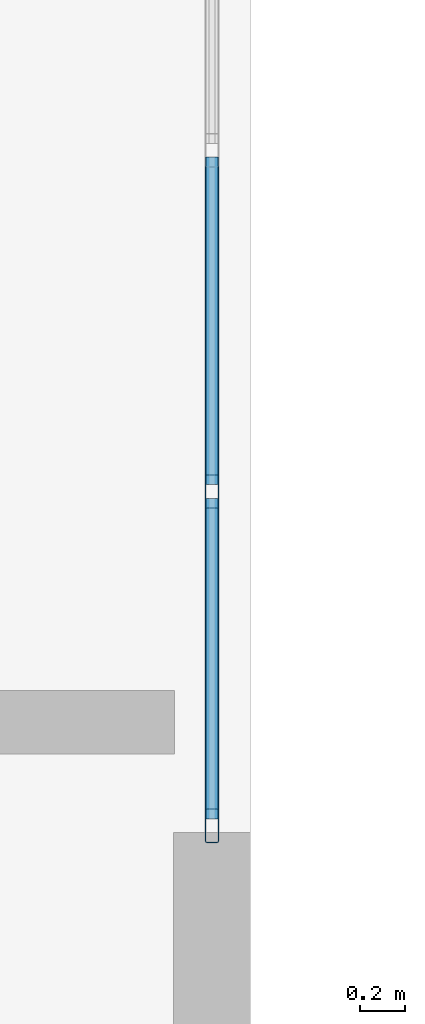
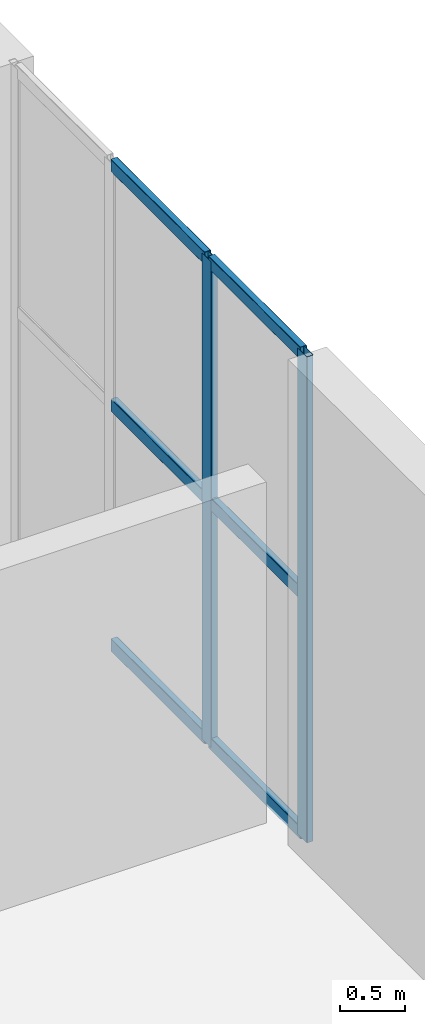
# One storey, part 3 of 16: 8 members, 1 element without a shape of its own.
"""IFC4 building model written with IfcOpenShell, lengths in metres."""

import ifcopenshell
import ifcopenshell.guid

model = None  # the IFC model being written
_history = None  # IfcOwnerHistory: only IFC2X3 demands one
_inside = {}  # id of a spatial element -> (the spatial element, [elements in it])
_under = {}  # id of a project, library or spatial element -> (it, [spatial elements below it])
_declared = {}  # id of a project -> (the project, [libraries it declares])
_typed = {}  # id of a type object -> (the type object, [elements of that type])
_made_of = {}  # id of a material, layer set ... -> (it, [elements and type objects made of it])


def new_model(schema):
    """Start an empty IFC model of exactly this schema.

    Asked for "IFC4X3", IfcOpenShell would pick the latest addendum, in which some entities
    have other attributes; the version numbers below select the first issue.
    IFC2X3 requires an IfcOwnerHistory on every rooted entity: one is made here for all.
    """
    global model, _history
    if schema == "IFC4X3":
        model = ifcopenshell.file(schema_version=(4, 3, 0, 0))
    else:
        model = ifcopenshell.file(schema=schema)
    _inside.clear()
    _under.clear()
    _declared.clear()
    _typed.clear()
    _made_of.clear()
    _history = None
    if model.schema == "IFC2X3":
        org = make("IfcOrganization", Name="unknown")
        user = make(
            "IfcPersonAndOrganization",
            ThePerson=make("IfcPerson", FamilyName="unknown"),
            TheOrganization=org,
        )
        app = make(
            "IfcApplication",
            ApplicationDeveloper=org,
            Version="unknown",
            ApplicationFullName="unknown",
            ApplicationIdentifier="unknown",
        )
        _history = make(
            "IfcOwnerHistory",
            OwningUser=user,
            OwningApplication=app,
            ChangeAction="ADDED",
            CreationDate=0,
        )
    return model


def make(cls, **values):
    """One entity of the class cls with the attributes given. An attribute that is None is left unset."""
    return model.create_entity(
        cls, **{name: value for name, value in values.items() if value is not None}
    )


def entity(cls, *values):
    """Any entity or typed value of the class cls, its attributes in the order of the schema. None: left unset."""
    e = model.create_entity(cls)
    for i, value in enumerate(values):
        if value is not None:
            e[i] = value
    return e


def rooted(cls, **values):
    """An entity with a GlobalId (a new one), such as an element, a storey or a relation."""
    return make(cls, GlobalId=ifcopenshell.guid.new(), OwnerHistory=_history, **values)


def si_unit(unit_type, name, prefix=None):
    """IfcSIUnit, for example si_unit("LENGTHUNIT", "METRE", prefix="MILLI")."""
    return make("IfcSIUnit", UnitType=unit_type, Prefix=prefix, Name=name)


def converted_unit(unit_type, name, factor, base, dimensions=None, offset=None):
    """IfcConversionBasedUnit, such as the inch: factor (a typed value) times the base unit."""
    return make(
        "IfcConversionBasedUnit"
        if offset is None
        else "IfcConversionBasedUnitWithOffset",
        ConversionOffset=offset,
        Dimensions=None
        if dimensions is None
        else entity("IfcDimensionalExponents", *dimensions),
        UnitType=unit_type,
        Name=name,
        ConversionFactor=make(
            "IfcMeasureWithUnit", ValueComponent=factor, UnitComponent=base
        ),
    )


def assignment(units):
    """IfcUnitAssignment: the units of a project."""
    return None if units is None else make("IfcUnitAssignment", Units=units)


def point(xyz):
    """IfcCartesianPoint."""
    return None if xyz is None else make("IfcCartesianPoint", Coordinates=xyz)


def direction(xyz):
    """IfcDirection."""
    return None if xyz is None else make("IfcDirection", DirectionRatios=xyz)


def frame(location, z_axis=None, x_axis=None):
    """IfcAxis2Placement3D, a coordinate frame: its origin and axes. An axis left out is left unset."""
    return make(
        "IfcAxis2Placement3D",
        Location=point(location),
        Axis=direction(z_axis),
        RefDirection=direction(x_axis),
    )


def frame_2d(location, x_axis=None):
    """IfcAxis2Placement2D, a coordinate frame in the plane: its origin and x axis."""
    return make(
        "IfcAxis2Placement2D", Location=point(location), RefDirection=direction(x_axis)
    )


def origin_with_axes():
    """The frame at (0, 0, 0) with the z axis (0, 0, 1) and the x axis (1, 0, 0) written out."""
    return frame((0.0, 0.0, 0.0), z_axis=(0.0, 0.0, 1.0), x_axis=(1.0, 0.0, 0.0))


def origin_2d_with_axis():
    """The frame at (0, 0) in the plane with the x axis (1, 0) written out."""
    return frame_2d((0.0, 0.0), x_axis=(1.0, 0.0))


def place(relative_to, where):
    """IfcLocalPlacement: puts the frame where relative to a parent placement (None: the world)."""
    return make(
        "IfcLocalPlacement", PlacementRelTo=relative_to, RelativePlacement=where
    )


def context(
    kind, dimensions, precision=None, world=None, true_north=None, identifier=None
):
    """IfcGeometricRepresentationContext, for example the 3D "Model" context."""
    return make(
        "IfcGeometricRepresentationContext",
        ContextIdentifier=identifier,
        ContextType=kind,
        CoordinateSpaceDimension=dimensions,
        Precision=precision,
        WorldCoordinateSystem=world,
        TrueNorth=true_north,
    )


def subcontext(parent, identifier, kind, view, scale=None):
    """IfcGeometricRepresentationSubContext, for example "Body" below "Model"."""
    return make(
        "IfcGeometricRepresentationSubContext",
        ContextIdentifier=identifier,
        ContextType=kind,
        ParentContext=parent,
        TargetScale=scale,
        TargetView=view,
    )


def project(units=None, contexts=None):
    """IfcProject with its units and contexts."""
    return rooted(
        "IfcProject",
        Name="project",
        RepresentationContexts=contexts,
        UnitsInContext=assignment(units),
    )


def spatial(cls, under=None, at=None, **own):
    """A site, building, storey or space (cls), placed at a placement, below another one or the project."""
    s = rooted(cls, ObjectPlacement=at, **own)
    if under is not None:
        _under.setdefault(under.id(), (under, []))[1].append(s)
    return s


def profile(cls, at=None, kind="AREA", **sizes):
    """A parametric profile (cls). Its sizes go by their IFC names, for example OverallWidth=200.0."""
    return make(cls, ProfileType=kind, Position=at, **sizes)


def hollow_rectangle(**sizes):
    """IfcRectangleHollowProfileDef."""
    return profile("IfcRectangleHollowProfileDef", **sizes)


def extrude(swept, where, along, depth):
    """IfcExtrudedAreaSolid: the profile swept, set in the frame where, extruded along a direction by depth."""
    return make(
        "IfcExtrudedAreaSolid",
        SweptArea=swept,
        Position=where,
        ExtrudedDirection=direction(along),
        Depth=depth,
    )


def shape(context_of_items, identifier, shape_type, items):
    """IfcShapeRepresentation: the items that make up one representation, for example the "Body"."""
    return make(
        "IfcShapeRepresentation",
        ContextOfItems=context_of_items,
        RepresentationIdentifier=identifier,
        RepresentationType=shape_type,
        Items=items,
    )


def material(Name=None, Category=None):
    """IfcMaterial."""
    return make("IfcMaterial", Name=Name, Category=Category)


def material_profile(
    of_material, cross_section, Name=None, Category=None, Priority=None
):
    """IfcMaterialProfile: a cross section and its material."""
    return make(
        "IfcMaterialProfile",
        Name=Name,
        Material=of_material,
        Profile=cross_section,
        Priority=Priority,
        Category=Category,
    )


def profile_set(profiles, Name=None, composite=None):
    """IfcMaterialProfileSet."""
    return make(
        "IfcMaterialProfileSet",
        Name=Name,
        MaterialProfiles=profiles,
        CompositeProfile=composite,
    )


def made_of(thing, what):
    """Note that an element or type object is made of a material, layer set ...; save() writes the relation."""
    if what is not None:
        _made_of.setdefault(what.id(), (what, []))[1].append(thing)
    return thing


def type_object(cls, material=None, **own):
    """A type object (cls), such as IfcWallType, which elements share."""
    return made_of(rooted(cls, **own), material)


def element(
    cls,
    number,
    at=None,
    inside=None,
    cuts=None,
    type_object=None,
    material=None,
    context=None,
    identifier="Body",
    shape_type=None,
    held_by="IfcProductDefinitionShape",
    body=None,
    shapes=None,
    **own,
):
    """One element of the class cls, such as IfcWall. Its Tag is "e" and its number.

    at: its placement. inside: the storey or other place that contains it. cuts: it is an
    opening in that element (IfcRelVoidsElement). A single representation is given by context,
    identifier, shape_type and body (its items); several are given by shapes. held_by: the class
    of the entity that holds the representations. save() writes the other relations.
    """
    e = rooted(cls, Tag="e%d" % number, ObjectPlacement=at, **own)
    if body is not None:
        shapes = [shape(context, identifier, shape_type, body)]
    if shapes is not None:
        e.Representation = make(held_by, Representations=shapes)
    if inside is not None:
        _inside.setdefault(inside.id(), (inside, []))[1].append(e)
    if cuts is not None:
        rooted(
            "IfcRelVoidsElement", RelatingBuildingElement=cuts, RelatedOpeningElement=e
        )
    if type_object is not None:
        _typed.setdefault(type_object.id(), (type_object, []))[1].append(e)
    return made_of(e, material)


def aggregate(whole, parts):
    """IfcRelAggregates: a whole, such as a stair, and the parts it consists of."""
    return rooted("IfcRelAggregates", RelatingObject=whole, RelatedObjects=parts)


def save(model, path):
    """Write the relations noted so far, then the file.

    IfcRelAggregates (storeys below a building ...), IfcRelContainedInSpatialStructure (elements
    in a storey), IfcRelDefinesByType, IfcRelAssociatesMaterial and IfcRelDeclares: one each for
    every whole, place, type object, material and project.
    """
    for whole, parts in _under.values():
        aggregate(whole, parts)
    for where, things in _inside.values():
        rooted(
            "IfcRelContainedInSpatialStructure",
            RelatedElements=things,
            RelatingStructure=where,
        )
    for kind, things in _typed.values():
        rooted("IfcRelDefinesByType", RelatedObjects=things, RelatingType=kind)
    for what, things in _made_of.values():
        rooted("IfcRelAssociatesMaterial", RelatedObjects=things, RelatingMaterial=what)
    for by, libraries in _declared.values():
        rooted("IfcRelDeclares", RelatingContext=by, RelatedDefinitions=libraries)
    model.write(path)


model = new_model("IFC4")

# Units and contexts
model_context = context("Model", 3, precision=1e-05, world=origin_with_axes(), true_north=direction((0.0, 1.0)))
body_context = subcontext(model_context, "Body", "Model", "MODEL_VIEW")
ifc_project = project(units=[si_unit("LENGTHUNIT", "METRE"), si_unit("AREAUNIT", "SQUARE_METRE"), si_unit("VOLUMEUNIT", "CUBIC_METRE"), converted_unit("PLANEANGLEUNIT", "DEGREE", entity("IfcPlaneAngleMeasure", 0.017453292519943295), si_unit("PLANEANGLEUNIT", "RADIAN"), dimensions=[0, 0, 0, 0, 0, 0, 0]), si_unit("MASSUNIT", "GRAM", prefix="KILO"), si_unit("THERMODYNAMICTEMPERATUREUNIT", "KELVIN")], contexts=[model_context])

# Site, building, storey
site_placement = place(None, origin_with_axes())
site = spatial("IfcSite", under=ifc_project, at=site_placement, CompositionType="ELEMENT")
building_placement = place(site_placement, origin_with_axes())
building = spatial("IfcBuilding", under=site, at=building_placement, Name="Varnlund Millrace Tower", CompositionType="ELEMENT")
storey_placement = place(building_placement, frame((0.0, 0.0, 219.9), z_axis=(0.0, 0.0, 1.0), x_axis=(1.0, 0.0, 0.0)))
storey = spatial("IfcBuildingStorey", under=building, at=storey_placement, Name="L54", CompositionType="ELEMENT", Elevation=219.9)

# Curtain wall, members
ifc_material_1 = material(Name="Thermally broken architectural bronze curtain wall", Category="aluminium")
curtain_wall_type = type_object("IfcCurtainWallType", Name="Type-CW-Sys5-SkyLobby2Pool", PredefinedType="NOTDEFINED", material=ifc_material_1)
curtain_wall_placement = place(storey_placement, frame((32.23, 33.95, 0.0), z_axis=(0.0, 0.0, 1.0), x_axis=(1.0, 0.0, 0.0)))
curtain_wall = element("IfcCurtainWall", 1, at=curtain_wall_placement, inside=storey, type_object=curtain_wall_type, Name="Type-CW-Sys5-SkyLobby2Pool", PredefinedType="NOTDEFINED")
ifc_material_2 = material(Name="Architectural bronze aluminium alloy 6063-T6", Category="aluminium")
ifc_material_profile_1 = material_profile(ifc_material_2, hollow_rectangle(XDim=0.06, YDim=0.15, WallThickness=0.004, InnerFilletRadius=0.004, OuterFilletRadius=0.008, at=origin_2d_with_axis()), Name="Architectural bronze aluminium alloy 6063-T6")
ifc_profile_set_1 = profile_set([ifc_material_profile_1], Name="Architectural bronze aluminium alloy 6063-T6")
member_type_1 = type_object("IfcMemberType", Name="Type-CW-Mullion-60X150", PredefinedType="MULLION", material=ifc_profile_set_1)
member_1_placement = place(storey_placement, frame((32.23, 30.95, 0.0), z_axis=(0.0, 0.0, 1.0), x_axis=(1.0, 0.0, 0.0)))
member_1 = element("IfcMember", 2, at=member_1_placement, type_object=member_type_1, Name="CW-05 mullion 3", PredefinedType="MULLION", context=body_context, shape_type="SweptSolid", body=[
    extrude(hollow_rectangle(XDim=0.06, YDim=0.15, WallThickness=0.004, InnerFilletRadius=0.004, OuterFilletRadius=0.008, at=origin_2d_with_axis()), origin_with_axes(), (0.0, 0.0, 1.0), 4.56),
])
member_2_placement = place(storey_placement, frame((32.23, 29.48, 0.0), z_axis=(0.0, 0.0, 1.0), x_axis=(1.0, 0.0, 0.0)))
member_2 = element("IfcMember", 3, at=member_2_placement, type_object=member_type_1, Name="CW-05 mullion 4", PredefinedType="MULLION", context=body_context, shape_type="SweptSolid", body=[
    extrude(hollow_rectangle(XDim=0.06, YDim=0.15, WallThickness=0.004, InnerFilletRadius=0.004, OuterFilletRadius=0.008, at=origin_2d_with_axis()), origin_with_axes(), (0.0, 0.0, 1.0), 4.56),
])
ifc_material_profile_2 = material_profile(ifc_material_2, hollow_rectangle(XDim=0.06, YDim=0.12, WallThickness=0.004, InnerFilletRadius=0.004, OuterFilletRadius=0.008, at=origin_2d_with_axis()), Name="Architectural bronze aluminium alloy 6063-T6")
ifc_profile_set_2 = profile_set([ifc_material_profile_2], Name="Architectural bronze aluminium alloy 6063-T6")
member_type_2 = type_object("IfcMemberType", Name="Type-CW-Transom-60X120", PredefinedType="USERDEFINED", material=ifc_profile_set_2)
member_3_placement = place(storey_placement, frame((32.23, 32.42, 0.03), z_axis=(0.0, -1.0, 0.0), x_axis=(1.0, 0.0, 0.0)))
member_3 = element("IfcMember", 4, at=member_3_placement, type_object=member_type_2, Name="CW-05 transom 2.1", ObjectType="TRANSOM", PredefinedType="USERDEFINED", context=body_context, shape_type="SweptSolid", body=[
    extrude(hollow_rectangle(XDim=0.06, YDim=0.12, WallThickness=0.004, InnerFilletRadius=0.004, OuterFilletRadius=0.008, at=origin_2d_with_axis()), origin_with_axes(), (0.0, 0.0, 1.0), 1.44),
])
member_4_placement = place(storey_placement, frame((32.23, 32.42, 2.28), z_axis=(0.0, -1.0, 0.0), x_axis=(1.0, 0.0, 0.0)))
member_4 = element("IfcMember", 5, at=member_4_placement, type_object=member_type_2, Name="CW-05 transom 2.2", ObjectType="TRANSOM", PredefinedType="USERDEFINED", context=body_context, shape_type="SweptSolid", body=[
    extrude(hollow_rectangle(XDim=0.06, YDim=0.12, WallThickness=0.004, InnerFilletRadius=0.004, OuterFilletRadius=0.008, at=origin_2d_with_axis()), origin_with_axes(), (0.0, 0.0, 1.0), 1.44),
])
member_5_placement = place(storey_placement, frame((32.23, 32.42, 4.53), z_axis=(0.0, -1.0, 0.0), x_axis=(1.0, 0.0, 0.0)))
member_5 = element("IfcMember", 6, at=member_5_placement, type_object=member_type_2, Name="CW-05 transom 2.3", ObjectType="TRANSOM", PredefinedType="USERDEFINED", context=body_context, shape_type="SweptSolid", body=[
    extrude(hollow_rectangle(XDim=0.06, YDim=0.12, WallThickness=0.004, InnerFilletRadius=0.004, OuterFilletRadius=0.008, at=origin_2d_with_axis()), origin_with_axes(), (0.0, 0.0, 1.0), 1.44),
])
member_6_placement = place(storey_placement, frame((32.23, 30.92, 0.03), z_axis=(0.0, -1.0, 0.0), x_axis=(1.0, 0.0, 0.0)))
member_6 = element("IfcMember", 7, at=member_6_placement, type_object=member_type_2, Name="CW-05 transom 3.1", ObjectType="TRANSOM", PredefinedType="USERDEFINED", context=body_context, shape_type="SweptSolid", body=[
    extrude(hollow_rectangle(XDim=0.06, YDim=0.12, WallThickness=0.004, InnerFilletRadius=0.004, OuterFilletRadius=0.008, at=origin_2d_with_axis()), origin_with_axes(), (0.0, 0.0, 1.0), 1.41),
])
member_7_placement = place(storey_placement, frame((32.23, 30.92, 2.28), z_axis=(0.0, -1.0, 0.0), x_axis=(1.0, 0.0, 0.0)))
member_7 = element("IfcMember", 8, at=member_7_placement, type_object=member_type_2, Name="CW-05 transom 3.2", ObjectType="TRANSOM", PredefinedType="USERDEFINED", context=body_context, shape_type="SweptSolid", body=[
    extrude(hollow_rectangle(XDim=0.06, YDim=0.12, WallThickness=0.004, InnerFilletRadius=0.004, OuterFilletRadius=0.008, at=origin_2d_with_axis()), origin_with_axes(), (0.0, 0.0, 1.0), 1.41),
])
member_8_placement = place(storey_placement, frame((32.23, 30.92, 4.53), z_axis=(0.0, -1.0, 0.0), x_axis=(1.0, 0.0, 0.0)))
member_8 = element("IfcMember", 9, at=member_8_placement, type_object=member_type_2, Name="CW-05 transom 3.3", ObjectType="TRANSOM", PredefinedType="USERDEFINED", context=body_context, shape_type="SweptSolid", body=[
    extrude(hollow_rectangle(XDim=0.06, YDim=0.12, WallThickness=0.004, InnerFilletRadius=0.004, OuterFilletRadius=0.008, at=origin_2d_with_axis()), origin_with_axes(), (0.0, 0.0, 1.0), 1.41),
])
aggregate(curtain_wall, [member_1, member_2, member_3, member_4, member_5, member_6, member_7, member_8])

save(model, "model.ifc")
